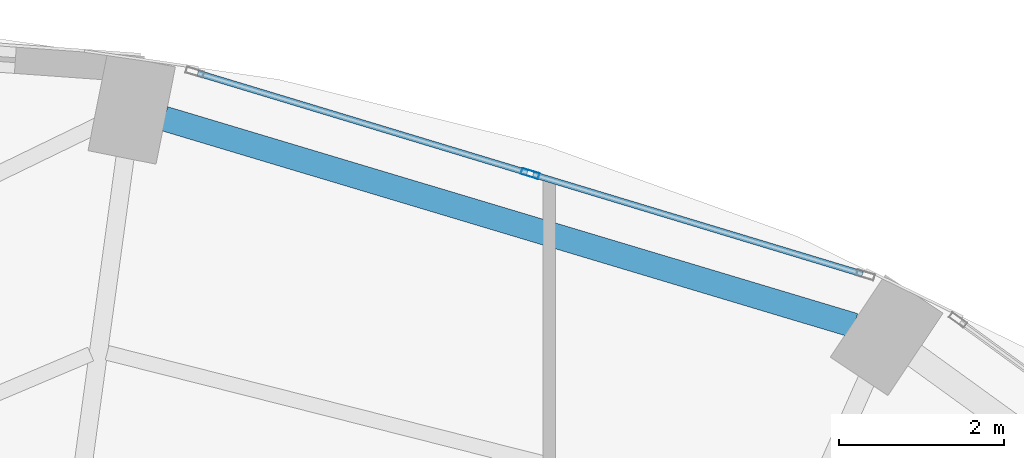
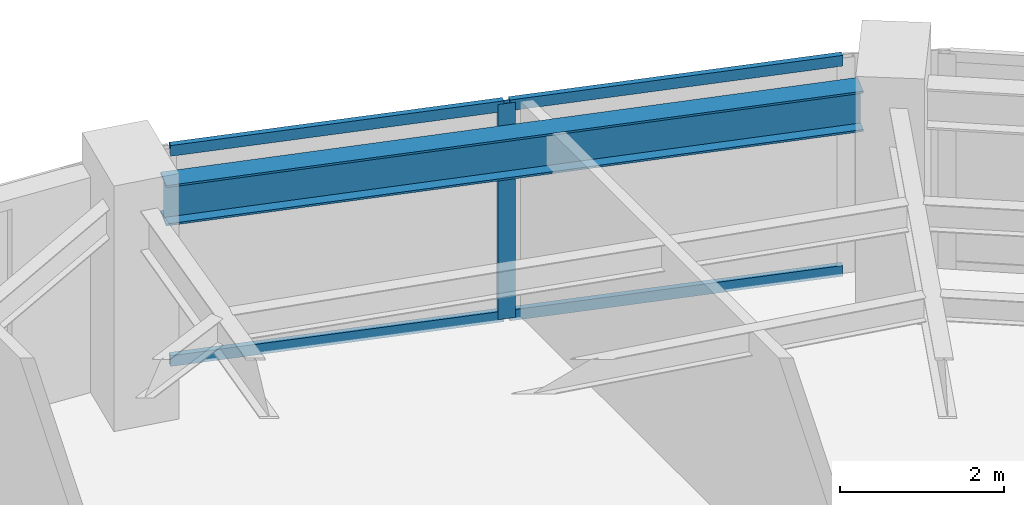
# One storey, part 18 of 24: 5 members, 1 beam, 1 element without a shape of its own.
"""IFC4 building model written with IfcOpenShell, lengths in metres."""

from ifc_helpers import new_model, si_unit, direction, frame, origin, origin_2d, place, context, subcontext, project, spatial, hollow_rectangle, i_section, extrude, material, layer, layer_set, material_profile, profile_set, type_object, element, aggregate, save


model = new_model("IFC4")

# Units and contexts
model_context = context("Model", 3, precision=1e-05, world=origin(), true_north=direction((0.0, 1.0)))
body_context = subcontext(model_context, "Body", "Model", "MODEL_VIEW")
ifc_project = project(units=[si_unit("LENGTHUNIT", "METRE"), si_unit("AREAUNIT", "SQUARE_METRE"), si_unit("VOLUMEUNIT", "CUBIC_METRE"), si_unit("PLANEANGLEUNIT", "RADIAN"), si_unit("MASSUNIT", "GRAM", prefix="KILO")], contexts=[model_context])

# Site, building, storey
site_placement = place(None, origin())
site = spatial("IfcSite", under=ifc_project, at=site_placement, CompositionType="ELEMENT")
building_placement = place(site_placement, origin())
building = spatial("IfcBuilding", under=site, at=building_placement, Name="Lazwardi Medical Tower", CompositionType="ELEMENT")
storey_placement = place(building_placement, frame((0.0, 0.0, 129.16796875)))
storey = spatial("IfcBuildingStorey", under=building, at=storey_placement, Name="L33", CompositionType="ELEMENT", Elevation=129.16796875)

# Beam
ifc_material_1 = material(Name="Steel S355", Category="steel")
ifc_material_profile_1 = material_profile(ifc_material_1, i_section(OverallWidth=0.300048828125, OverallDepth=0.60009765625, WebThickness=0.015380859375, FlangeThickness=0.030029296875, at=origin_2d()), Name="HEB 600")
ifc_profile_set_1 = profile_set([ifc_material_profile_1], Name="Steel S355")
beam_type = type_object("IfcBeamType", Name="BM-RB-Z2", PredefinedType="BEAM", material=ifc_profile_set_1)
beam_placement = place(storey_placement, frame((49.69091796875, 45.775390625, 2.89794921875), z_axis=(-0.957879438442, 0.287170648587, 0.0), x_axis=(-0.287170648587, -0.957879438442, 0.0)))
element("IfcBeam", 1, at=beam_placement, inside=storey, type_object=beam_type, Name="Ring beam RB-03 B07 L33", PredefinedType="BEAM", context=body_context, shape_type="SweptSolid", body=[
    extrude(i_section(OverallWidth=0.300048828125, OverallDepth=0.60009765625, WebThickness=0.015380859375, FlangeThickness=0.030029296875, at=origin_2d()), origin(), (0.0, 0.0, 1.0), 8.719970703125),
])

# Curtain wall, members
ifc_material_2 = material(Name="Anodised bronze aluminium and solar control glazing", Category="aluminium")
ifc_layer = layer(ifc_material_2, 0.195068359375)
ifc_layer_set = layer_set([ifc_layer], Name="Anodised bronze aluminium and solar control glazing")
curtain_wall_type = type_object("IfcCurtainWallType", Name="CW-SYS-03", PredefinedType="NOTDEFINED", material=ifc_layer_set)
curtain_wall_placement = place(storey_placement, origin())
curtain_wall = element("IfcCurtainWall", 2, at=curtain_wall_placement, inside=storey, type_object=curtain_wall_type, Name="L33 Unitised bronze curtain wall CW-03", PredefinedType="NOTDEFINED")
ifc_material_3 = material(Name="Anodised bronze aluminium", Category="aluminium")
ifc_material_profile_2 = material_profile(ifc_material_3, hollow_rectangle(XDim=0.074951171875, YDim=0.219970703125, WallThickness=0.00390625, at=origin_2d()), Name="ALU-MULLION 220x75x4")
ifc_profile_set_2 = profile_set([ifc_material_profile_2], Name="Anodised bronze aluminium")
member_type_1 = type_object("IfcMemberType", Name="CW-MUL-01", PredefinedType="MULLION", material=ifc_profile_set_2)
member_1_placement = place(storey_placement, frame((45.769287109375, 47.613037109375, 0.0), z_axis=(0.0, 0.0, 1.0), x_axis=(-0.28937381157, -0.957216170558, 0.0)))
member_1 = element("IfcMember", 3, at=member_1_placement, type_object=member_type_1, Name="CW-03 mullion 2", PredefinedType="MULLION", context=body_context, shape_type="SweptSolid", body=[
    extrude(hollow_rectangle(XDim=0.074951171875, YDim=0.219970703125, WallThickness=0.00390625, at=origin_2d()), origin(), (0.0, 0.0, 1.0), 3.197998046875),
])
ifc_material_profile_3 = material_profile(ifc_material_3, hollow_rectangle(XDim=0.074951171875, YDim=0.159912109375, WallThickness=0.00390625, at=origin_2d()), Name="ALU-TRANSOM 160x75x4")
ifc_profile_set_3 = profile_set([ifc_material_profile_3], Name="Anodised bronze aluminium")
member_type_2 = type_object("IfcMemberType", Name="CW-TRN-01", PredefinedType="USERDEFINED", material=ifc_profile_set_3)
member_2_placement = place(storey_placement, frame((49.79248046875, 46.396728515625, 0.03759765625), z_axis=(-0.957204630929, 0.289411980623, 0.0), x_axis=(-0.289411980623, -0.957204630929, 0.0)))
member_2 = element("IfcMember", 4, at=member_2_placement, type_object=member_type_2, Name="CW-03 transom 1.1", ObjectType="TRANSOM", PredefinedType="USERDEFINED", context=body_context, shape_type="SweptSolid", body=[
    extrude(hollow_rectangle(XDim=0.074951171875, YDim=0.159912109375, WallThickness=0.00390625, at=origin_2d()), origin(), (0.0, 0.0, 1.0), 4.16552734375),
])
member_3_placement = place(storey_placement, frame((49.79248046875, 46.396728515625, 3.16064453125), z_axis=(-0.957204630929, 0.289411980623, 0.0), x_axis=(-0.289411980623, -0.957204630929, 0.0)))
member_3 = element("IfcMember", 5, at=member_3_placement, type_object=member_type_2, Name="CW-03 transom 1.2", ObjectType="TRANSOM", PredefinedType="USERDEFINED", context=body_context, shape_type="SweptSolid", body=[
    extrude(hollow_rectangle(XDim=0.074951171875, YDim=0.159912109375, WallThickness=0.00390625, at=origin_2d()), origin(), (0.0, 0.0, 1.0), 4.16552734375),
])
member_4_placement = place(storey_placement, frame((45.7333984375, 47.6240234375, 0.03759765625), z_axis=(-0.957220865985, 0.289358279168, 0.0), x_axis=(-0.289358279168, -0.957220865985, 0.0)))
member_4 = element("IfcMember", 6, at=member_4_placement, type_object=member_type_2, Name="CW-03 transom 2.1", ObjectType="TRANSOM", PredefinedType="USERDEFINED", context=body_context, shape_type="SweptSolid", body=[
    extrude(hollow_rectangle(XDim=0.074951171875, YDim=0.159912109375, WallThickness=0.00390625, at=origin_2d()), origin(), (0.0, 0.0, 1.0), 4.16552734375),
])
member_5_placement = place(storey_placement, frame((45.7333984375, 47.6240234375, 3.16064453125), z_axis=(-0.957220865985, 0.289358279168, 0.0), x_axis=(-0.289358279168, -0.957220865985, 0.0)))
member_5 = element("IfcMember", 7, at=member_5_placement, type_object=member_type_2, Name="CW-03 transom 2.2", ObjectType="TRANSOM", PredefinedType="USERDEFINED", context=body_context, shape_type="SweptSolid", body=[
    extrude(hollow_rectangle(XDim=0.074951171875, YDim=0.159912109375, WallThickness=0.00390625, at=origin_2d()), origin(), (0.0, 0.0, 1.0), 4.16552734375),
])
aggregate(curtain_wall, [member_1, member_2, member_3, member_4, member_5])

save(model, "model.ifc")
